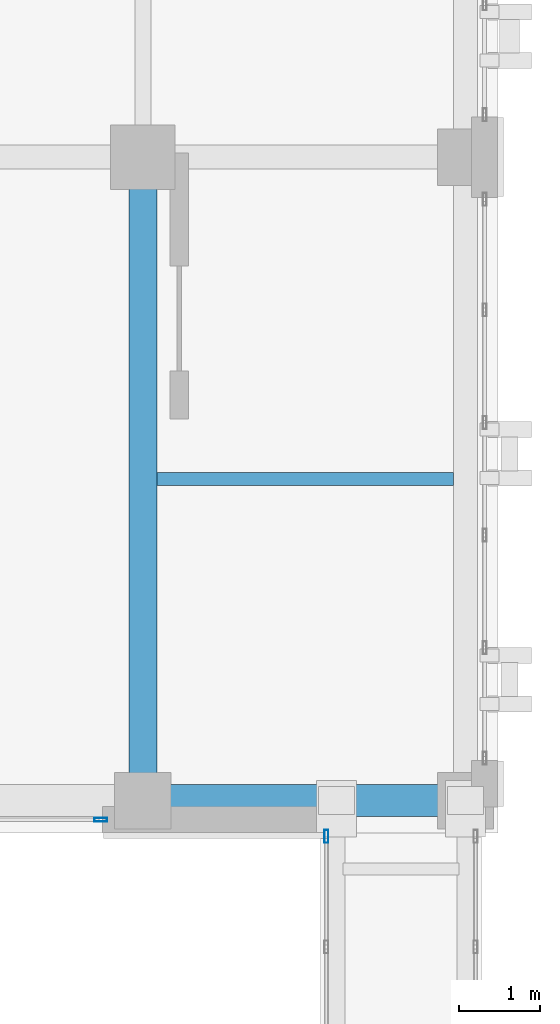
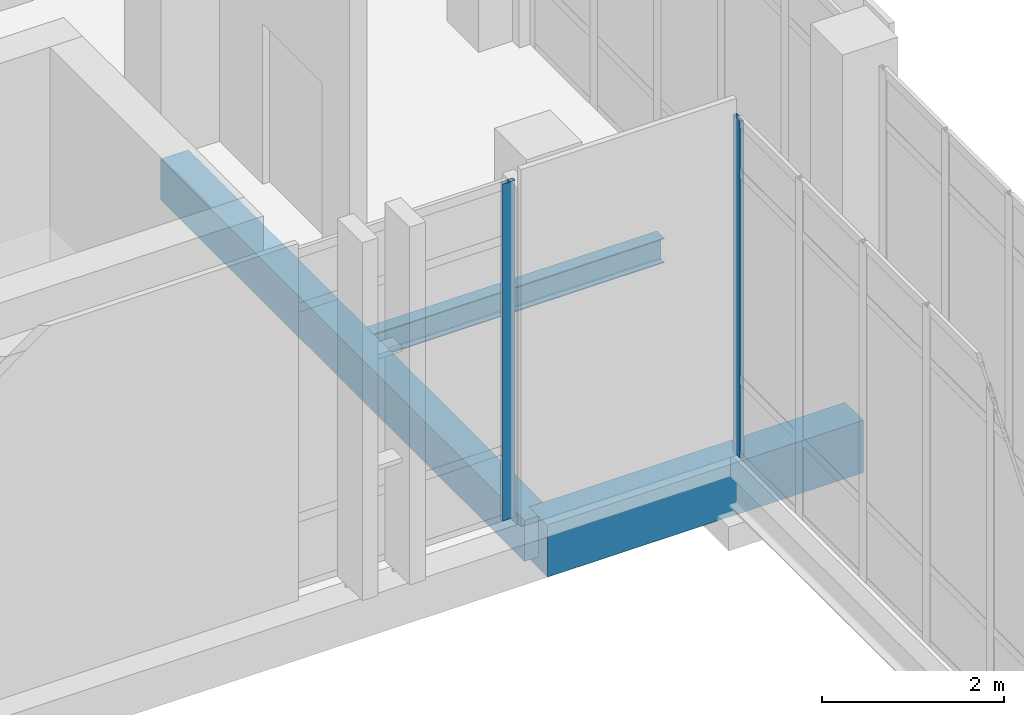
# One storey, part 19 of 189: 3 beams, 2 members, 2 elements without a shape of their own.
"""IFC4 building model written with IfcOpenShell, lengths in metres."""

from ifc_helpers import new_model, si_unit, direction, frame, origin, origin_2d, place, context, subcontext, project, spatial, rectangle, hollow_rectangle, i_section, extrude, material, layer, layer_set, material_profile, profile_set, type_object, element, aggregate, save


model = new_model("IFC4")

# Units and contexts
model_context = context("Model", 3, precision=1e-05, world=origin(), true_north=direction((0.0, 1.0)))
body_context = subcontext(model_context, "Body", "Model", "MODEL_VIEW")
ifc_project = project(units=[si_unit("LENGTHUNIT", "METRE"), si_unit("AREAUNIT", "SQUARE_METRE"), si_unit("VOLUMEUNIT", "CUBIC_METRE"), si_unit("PLANEANGLEUNIT", "RADIAN"), si_unit("MASSUNIT", "GRAM", prefix="KILO")], contexts=[model_context])

# Site, building, storey
site_placement = place(None, origin())
site = spatial("IfcSite", under=ifc_project, at=site_placement, CompositionType="ELEMENT")
building_placement = place(site_placement, origin())
building = spatial("IfcBuilding", under=site, at=building_placement, Name="Qalavern Law Courts", CompositionType="ELEMENT")
storey_placement = place(building_placement, frame((0.0, 0.0, 5.39990234375)))
storey = spatial("IfcBuildingStorey", under=building, at=storey_placement, Name="L01", CompositionType="ELEMENT", Elevation=5.39990234375)

# Curtain wall, member
ifc_material_1 = material(Name="Anodised aluminium and insulated glazing", Category="aluminium")
ifc_layer_1 = layer(ifc_material_1, 0.172119140625)
ifc_layer_set_1 = layer_set([ifc_layer_1], Name="Anodised aluminium and insulated glazing")
curtain_wall_type_1 = type_object("IfcCurtainWallType", Name="ENV-CW-COURT", PredefinedType="USERDEFINED", material=ifc_layer_set_1)
curtain_wall_1_placement = place(storey_placement, origin())
curtain_wall_1 = element("IfcCurtainWall", 1, at=curtain_wall_1_placement, inside=storey, type_object=curtain_wall_type_1, Name="V3 unitised curtain wall L01 south 1", ObjectType="UNITISED CURTAIN WALL", PredefinedType="USERDEFINED")
ifc_material_2 = material(Name="Anodised aluminium", Category="aluminium")
ifc_material_profile_1 = material_profile(ifc_material_2, hollow_rectangle(XDim=0.048095703125, YDim=0.159912109375, WallThickness=0.00390625, at=origin_2d()), Name="ALU MULLION 48x160")
ifc_profile_set_1 = profile_set([ifc_material_profile_1], Name="Anodised aluminium")
member_type = type_object("IfcMemberType", Name="ENV-CWM-48x160", PredefinedType="MULLION", material=ifc_profile_set_1)
member_1_placement = place(storey_placement, frame((13.8759765625, 41.1826171875, 0.0), z_axis=(0.0, 0.0, 1.0), x_axis=(0.0, 1.0, 0.0)))
member_1 = element("IfcMember", 2, at=member_1_placement, type_object=member_type, Name="CW-03 mullion 3", PredefinedType="MULLION", context=body_context, shape_type="SweptSolid", body=[
    extrude(hollow_rectangle(XDim=0.048095703125, YDim=0.159912109375, WallThickness=0.00390625, at=origin_2d()), origin(), (0.0, 0.0, 1.0), 4.510009765625),
])
aggregate(curtain_wall_1, [member_1])

ifc_layer_2 = layer(ifc_material_1, 0.14990234375)
ifc_layer_set_2 = layer_set([ifc_layer_2], Name="Anodised aluminium and insulated glazing")
curtain_wall_type_2 = type_object("IfcCurtainWallType", Name="ENV-CW-BRG", PredefinedType="USERDEFINED", material=ifc_layer_set_2)
curtain_wall_2_placement = place(storey_placement, origin())
curtain_wall_2 = element("IfcCurtainWall", 3, at=curtain_wall_2_placement, inside=storey, type_object=curtain_wall_type_2, Name="Bridge BR-V1-V3 glazed curtain wall L01-1", ObjectType="UNITISED CURTAIN WALL", PredefinedType="USERDEFINED")
member_2_placement = place(storey_placement, frame((16.675048828125, 40.97607421875, 0.0), z_axis=(0.0, 0.0, 1.0), x_axis=(1.0, 0.0, 0.0)))
member_2 = element("IfcMember", 4, at=member_2_placement, type_object=member_type, Name="CW-06 mullion 1", PredefinedType="MULLION", context=body_context, shape_type="SweptSolid", body=[
    extrude(hollow_rectangle(XDim=0.048095703125, YDim=0.159912109375, WallThickness=0.00390625, at=origin_2d()), origin(), (0.0, 0.0, 1.0), 4.510009765625),
])
aggregate(curtain_wall_2, [member_2])

# Beams
ifc_material_3 = material(Name="Concrete C35/45", Category="concrete")
ifc_material_profile_2 = material_profile(ifc_material_3, rectangle(XDim=0.35009765625, YDim=0.550048828125, at=origin_2d()), Name="RC 350x550")
ifc_profile_set_2 = profile_set([ifc_material_profile_2], Name="Concrete C35/45")
beam_type_1 = type_object("IfcBeamType", Name="STR-BM-RC350x550", PredefinedType="BEAM", material=ifc_profile_set_2)
beam_1_placement = place(storey_placement, frame((14.39990234375, 41.419921875, -0.574951171875), z_axis=(0.0, 1.0, 0.0), x_axis=(-1.0, 0.0, 0.0)))
element("IfcBeam", 5, at=beam_1_placement, inside=storey, type_object=beam_type_1, Name="V3 Y-beam 2-1 L01", PredefinedType="BEAM", context=body_context, shape_type="SweptSolid", body=[
    extrude(rectangle(XDim=0.35009765625, YDim=0.550048828125, at=origin_2d()), origin(), (0.0, 0.0, 1.0), 7.97998046875),
])
ifc_material_4 = material(Name="Steel S355", Category="steel")
ifc_material_profile_3 = material_profile(ifc_material_4, i_section(OverallWidth=0.159912109375, OverallDepth=0.330078125, WebThickness=0.007568359375, FlangeThickness=0.011474609375, FilletRadius=0.01806640625, at=origin_2d()), Name="IPE 330")
ifc_profile_set_3 = profile_set([ifc_material_profile_3], Name="Steel S355")
beam_type_2 = type_object("IfcBeamType", Name="STR-JST-IPE330", PredefinedType="JOIST", material=ifc_profile_set_3)
beam_2_placement = place(storey_placement, frame((14.572998046875, 45.409912109375, -0.46484375), z_axis=(1.0, 0.0, 0.0), x_axis=(0.0, 1.0, 0.0)))
element("IfcBeam", 6, at=beam_2_placement, inside=storey, type_object=beam_type_2, Name="V3 secondary joist 2.1.1 L01", PredefinedType="JOIST", context=body_context, shape_type="SweptSolid", body=[
    extrude(i_section(OverallWidth=0.159912109375, OverallDepth=0.330078125, WebThickness=0.007568359375, FlangeThickness=0.011474609375, FilletRadius=0.01806640625, at=origin_2d()), origin(), (0.0, 0.0, 1.0), 3.678955078125),
])
ifc_material_5 = material(Name="Concrete C40/50", Category="concrete")
ifc_material_profile_4 = material_profile(ifc_material_5, rectangle(XDim=0.39990234375, YDim=0.699951171875, at=origin_2d()), Name="RC 400x700")
ifc_profile_set_4 = profile_set([ifc_material_profile_4], Name="Concrete C40/50")
beam_type_3 = type_object("IfcBeamType", Name="STR-SP-RC400x700", PredefinedType="SPANDREL", material=ifc_profile_set_4)
beam_3_placement = place(storey_placement, frame((14.39990234375, 41.419921875, -0.64990234375), z_axis=(1.0, 0.0, 0.0), x_axis=(0.0, 1.0, 0.0)))
element("IfcBeam", 7, at=beam_3_placement, inside=storey, type_object=beam_type_3, Name="V3 X-beam 1-2 L01", PredefinedType="SPANDREL", context=body_context, shape_type="SweptSolid", body=[
    extrude(rectangle(XDim=0.39990234375, YDim=0.699951171875, at=origin_2d()), origin(), (0.0, 0.0, 1.0), 4.0),
])

save(model, "model.ifc")
